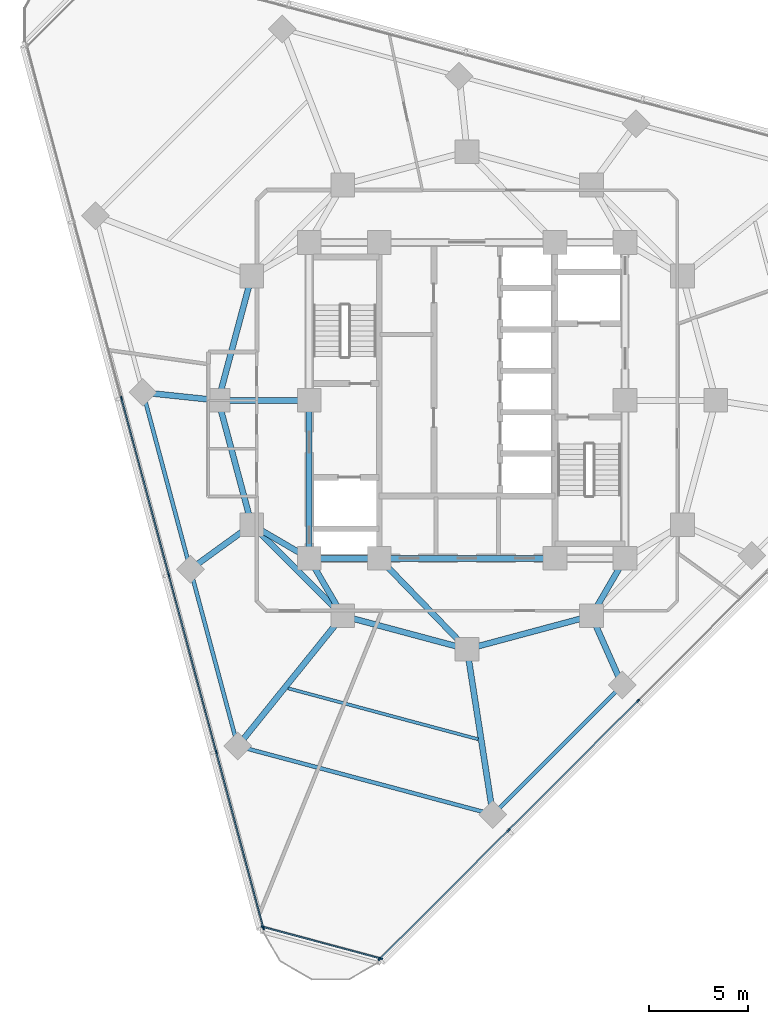
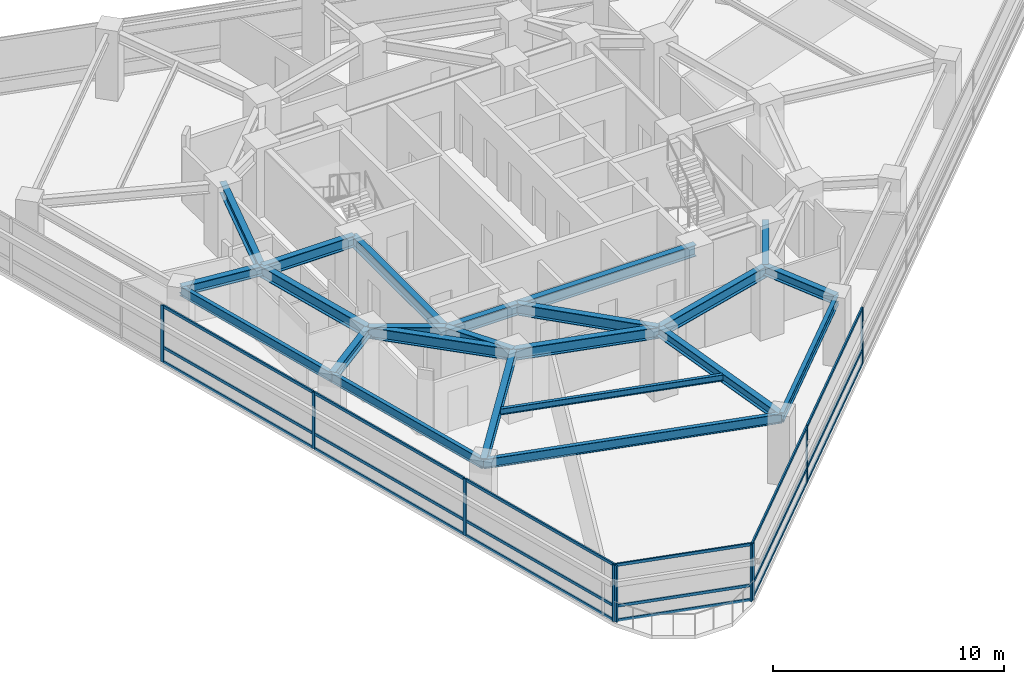
# One storey, part 2 of 13: 27 members, 23 beams, 3 elements without a shape of their own.
"""IFC4 building model written with IfcOpenShell, lengths in metres."""

from ifc_helpers import new_model, si_unit, direction, frame, origin, origin_2d, place, context, subcontext, project, spatial, rectangle, i_section, extrude, material, layer, layer_set, material_profile, profile_set, type_object, element, aggregate, save


model = new_model("IFC4")

# Units and contexts
model_context = context("Model", 3, precision=1e-05, world=origin(), true_north=direction((0.0, 1.0)))
body_context = subcontext(model_context, "Body", "Model", "MODEL_VIEW")
ifc_project = project(units=[si_unit("LENGTHUNIT", "METRE"), si_unit("AREAUNIT", "SQUARE_METRE"), si_unit("VOLUMEUNIT", "CUBIC_METRE"), si_unit("PLANEANGLEUNIT", "RADIAN"), si_unit("MASSUNIT", "GRAM", prefix="KILO")], contexts=[model_context])

# Site, building, storey
site_placement = place(None, origin())
site = spatial("IfcSite", under=ifc_project, at=site_placement, CompositionType="ELEMENT")
building_placement = place(site_placement, origin())
building = spatial("IfcBuilding", under=site, at=building_placement, Name="Terralouvre Media Tower", CompositionType="ELEMENT")
storey_placement = place(building_placement, frame((0.0, 0.0, 202.699951171875)))
storey = spatial("IfcBuildingStorey", under=building, at=storey_placement, Name="L52", CompositionType="ELEMENT", Elevation=202.699951171875)

# Beam
ifc_material_1 = material(Name="Structural steel S355J2", Category="steel")
ifc_material_profile_1 = material_profile(ifc_material_1, i_section(OverallWidth=0.159912109375, OverallDepth=0.330078125, WebThickness=0.007568359375, FlangeThickness=0.011474609375, at=origin_2d()), Name="IPE 330")
ifc_profile_set_1 = profile_set([ifc_material_profile_1], Name="Structural steel S355J2")
beam_type_1 = type_object("IfcBeamType", Name="Composite Floor Joist J-IPE330 (IPE 330)", PredefinedType="JOIST", material=ifc_profile_set_1)
beam_1_placement = place(storey_placement, frame((-9.067626953125, -14.58349609375, 3.3349609375), z_axis=(0.965923672222, -0.258827084055, 0.0), x_axis=(0.258827084055, 0.965923672222, 0.0)))
element("IfcBeam", 1, at=beam_1_placement, inside=storey, type_object=beam_type_1, Name="L52 Framing Beam JT-L52-01", PredefinedType="JOIST", context=body_context, shape_type="SweptSolid", body=[
    extrude(i_section(OverallWidth=0.159912109375, OverallDepth=0.330078125, WebThickness=0.007568359375, FlangeThickness=0.011474609375, at=origin_2d()), origin(), (0.0, 0.0, 1.0), 9.96826171875),
])

# Curtain wall, members
ifc_material_2 = material(Name="Low-iron laminated double glazing with solar-control coating", Category="glass")
ifc_layer_1 = layer(ifc_material_2, 0.1650390625, Name="Production Studio Tower Curtain Wall CW-03")
ifc_layer_set_1 = layer_set([ifc_layer_1], Name="Low-iron laminated double glazing with solar-control coating")
curtain_wall_type_1 = type_object("IfcCurtainWallType", Name="Production Studio Tower Curtain Wall CW-03", PredefinedType="NOTDEFINED", material=ifc_layer_set_1)
curtain_wall_1_placement = place(storey_placement, origin())
curtain_wall_1 = element("IfcCurtainWall", 2, at=curtain_wall_1_placement, inside=storey, type_object=curtain_wall_type_1, Name="L52 Facade Curtain Wall F0", PredefinedType="NOTDEFINED")
ifc_material_3 = material(Name="Anodised extruded aluminium 6063-T6", Category="aluminium")
ifc_material_profile_2 = material_profile(ifc_material_3, rectangle(XDim=0.074951171875, YDim=0.14990234375, at=origin_2d()), Name="ALU 75x150")
ifc_profile_set_2 = profile_set([ifc_material_profile_2], Name="Anodised extruded aluminium 6063-T6")
member_type_1 = type_object("IfcMemberType", Name="Curtain-Wall Horizontal Transom TR-150", PredefinedType="USERDEFINED", material=ifc_profile_set_2)
member_1_placement = place(storey_placement, frame((-4.399658203125, -28.27587890625, 0.03759765625), z_axis=(0.707106781187, 0.707106781187, 0.0), x_axis=(-0.707106781187, 0.707106781187, 0.0)))
member_1 = element("IfcMember", 3, at=member_1_placement, type_object=member_type_1, Name="CW-03 transom 1.1", ObjectType="TRANSOM", PredefinedType="USERDEFINED", context=body_context, shape_type="SweptSolid", body=[
    extrude(rectangle(XDim=0.074951171875, YDim=0.14990234375, at=origin_2d()), origin(), (0.0, 0.0, 1.0), 9.15966796875),
])
member_2_placement = place(storey_placement, frame((-4.399658203125, -28.27587890625, 0.800048828125), z_axis=(0.707106781187, 0.707106781187, 0.0), x_axis=(-0.707106781187, 0.707106781187, 0.0)))
member_2 = element("IfcMember", 4, at=member_2_placement, type_object=member_type_1, Name="CW-03 transom 1.2", ObjectType="TRANSOM", PredefinedType="USERDEFINED", context=body_context, shape_type="SweptSolid", body=[
    extrude(rectangle(XDim=0.074951171875, YDim=0.14990234375, at=origin_2d()), origin(), (0.0, 0.0, 1.0), 9.15966796875),
])
member_3_placement = place(storey_placement, frame((-4.399658203125, -28.27587890625, 2.962646484375), z_axis=(0.707106781187, 0.707106781187, 0.0), x_axis=(-0.707106781187, 0.707106781187, 0.0)))
member_3 = element("IfcMember", 5, at=member_3_placement, type_object=member_type_1, Name="CW-03 transom 1.3", ObjectType="TRANSOM", PredefinedType="USERDEFINED", context=body_context, shape_type="SweptSolid", body=[
    extrude(rectangle(XDim=0.074951171875, YDim=0.14990234375, at=origin_2d()), origin(), (0.0, 0.0, 1.0), 9.15966796875),
])
member_4_placement = place(storey_placement, frame((2.130126953125, -21.74609375, 0.03759765625), z_axis=(0.707093508293, 0.707120053831, 0.0), x_axis=(-0.707120053831, 0.707093508293, 0.0)))
member_4 = element("IfcMember", 6, at=member_4_placement, type_object=member_type_1, Name="CW-03 transom 2.1", ObjectType="TRANSOM", PredefinedType="USERDEFINED", context=body_context, shape_type="SweptSolid", body=[
    extrude(rectangle(XDim=0.074951171875, YDim=0.14990234375, at=origin_2d()), origin(), (0.0, 0.0, 1.0), 9.197021484375),
])
member_5_placement = place(storey_placement, frame((2.130126953125, -21.74609375, 0.800048828125), z_axis=(0.707093508293, 0.707120053831, 0.0), x_axis=(-0.707120053831, 0.707093508293, 0.0)))
member_5 = element("IfcMember", 7, at=member_5_placement, type_object=member_type_1, Name="CW-03 transom 2.2", ObjectType="TRANSOM", PredefinedType="USERDEFINED", context=body_context, shape_type="SweptSolid", body=[
    extrude(rectangle(XDim=0.074951171875, YDim=0.14990234375, at=origin_2d()), origin(), (0.0, 0.0, 1.0), 9.197021484375),
])
member_6_placement = place(storey_placement, frame((2.130126953125, -21.74609375, 2.962646484375), z_axis=(0.707093508293, 0.707120053831, 0.0), x_axis=(-0.707120053831, 0.707093508293, 0.0)))
member_6 = element("IfcMember", 8, at=member_6_placement, type_object=member_type_1, Name="CW-03 transom 2.3", ObjectType="TRANSOM", PredefinedType="USERDEFINED", context=body_context, shape_type="SweptSolid", body=[
    extrude(rectangle(XDim=0.074951171875, YDim=0.14990234375, at=origin_2d()), origin(), (0.0, 0.0, 1.0), 9.197021484375),
])

curtain_wall_2_placement = place(storey_placement, origin())
curtain_wall_2 = element("IfcCurtainWall", 9, at=curtain_wall_2_placement, inside=storey, type_object=curtain_wall_type_1, Name="L52 Facade Curtain Wall F2", PredefinedType="NOTDEFINED")
member_7_placement = place(storey_placement, frame((-17.497802734375, 0.072265625, 0.03759765625), z_axis=(0.25881569625, -0.965926723605, 0.0), x_axis=(0.965926723605, 0.25881569625, 0.0)))
member_7 = element("IfcMember", 10, at=member_7_placement, type_object=member_type_1, Name="CW-03 transom 3.1", ObjectType="TRANSOM", PredefinedType="USERDEFINED", context=body_context, shape_type="SweptSolid", body=[
    extrude(rectangle(XDim=0.074951171875, YDim=0.14990234375, at=origin_2d()), origin(), (0.0, 0.0, 1.0), 9.197265625),
])
member_8_placement = place(storey_placement, frame((-17.497802734375, 0.072265625, 0.800048828125), z_axis=(0.25881569625, -0.965926723605, 0.0), x_axis=(0.965926723605, 0.25881569625, 0.0)))
member_8 = element("IfcMember", 11, at=member_8_placement, type_object=member_type_1, Name="CW-03 transom 3.2", ObjectType="TRANSOM", PredefinedType="USERDEFINED", context=body_context, shape_type="SweptSolid", body=[
    extrude(rectangle(XDim=0.074951171875, YDim=0.14990234375, at=origin_2d()), origin(), (0.0, 0.0, 1.0), 9.197265625),
])
member_9_placement = place(storey_placement, frame((-17.497802734375, 0.072265625, 2.962646484375), z_axis=(0.25881569625, -0.965926723605, 0.0), x_axis=(0.965926723605, 0.25881569625, 0.0)))
member_9 = element("IfcMember", 12, at=member_9_placement, type_object=member_type_1, Name="CW-03 transom 3.3", ObjectType="TRANSOM", PredefinedType="USERDEFINED", context=body_context, shape_type="SweptSolid", body=[
    extrude(rectangle(XDim=0.074951171875, YDim=0.14990234375, at=origin_2d()), origin(), (0.0, 0.0, 1.0), 9.197265625),
])
member_10_placement = place(storey_placement, frame((-15.09814453125, -8.8837890625, 0.03759765625), z_axis=(0.25881569625, -0.965926723605, 0.0), x_axis=(0.965926723605, 0.25881569625, 0.0)))
member_10 = element("IfcMember", 13, at=member_10_placement, type_object=member_type_1, Name="CW-03 transom 4.1", ObjectType="TRANSOM", PredefinedType="USERDEFINED", context=body_context, shape_type="SweptSolid", body=[
    extrude(rectangle(XDim=0.074951171875, YDim=0.14990234375, at=origin_2d()), origin(), (0.0, 0.0, 1.0), 9.197265625),
])
member_11_placement = place(storey_placement, frame((-15.09814453125, -8.8837890625, 0.800048828125), z_axis=(0.25881569625, -0.965926723605, 0.0), x_axis=(0.965926723605, 0.25881569625, 0.0)))
member_11 = element("IfcMember", 14, at=member_11_placement, type_object=member_type_1, Name="CW-03 transom 4.2", ObjectType="TRANSOM", PredefinedType="USERDEFINED", context=body_context, shape_type="SweptSolid", body=[
    extrude(rectangle(XDim=0.074951171875, YDim=0.14990234375, at=origin_2d()), origin(), (0.0, 0.0, 1.0), 9.197265625),
])
member_12_placement = place(storey_placement, frame((-15.09814453125, -8.8837890625, 2.962646484375), z_axis=(0.25881569625, -0.965926723605, 0.0), x_axis=(0.965926723605, 0.25881569625, 0.0)))
member_12 = element("IfcMember", 15, at=member_12_placement, type_object=member_type_1, Name="CW-03 transom 4.3", ObjectType="TRANSOM", PredefinedType="USERDEFINED", context=body_context, shape_type="SweptSolid", body=[
    extrude(rectangle(XDim=0.074951171875, YDim=0.14990234375, at=origin_2d()), origin(), (0.0, 0.0, 1.0), 9.197265625),
])
member_13_placement = place(storey_placement, frame((-12.6982421875, -17.83984375, 0.03759765625), z_axis=(0.25881380313, -0.965927230856, 0.0), x_axis=(0.965927230856, 0.25881380313, 0.0)))
member_13 = element("IfcMember", 16, at=member_13_placement, type_object=member_type_1, Name="CW-03 transom 5.1", ObjectType="TRANSOM", PredefinedType="USERDEFINED", context=body_context, shape_type="SweptSolid", body=[
    extrude(rectangle(XDim=0.074951171875, YDim=0.14990234375, at=origin_2d()), origin(), (0.0, 0.0, 1.0), 9.159423828125),
])
member_14_placement = place(storey_placement, frame((-12.6982421875, -17.83984375, 0.800048828125), z_axis=(0.25881380313, -0.965927230856, 0.0), x_axis=(0.965927230856, 0.25881380313, 0.0)))
member_14 = element("IfcMember", 17, at=member_14_placement, type_object=member_type_1, Name="CW-03 transom 5.2", ObjectType="TRANSOM", PredefinedType="USERDEFINED", context=body_context, shape_type="SweptSolid", body=[
    extrude(rectangle(XDim=0.074951171875, YDim=0.14990234375, at=origin_2d()), origin(), (0.0, 0.0, 1.0), 9.159423828125),
])
member_15_placement = place(storey_placement, frame((-12.6982421875, -17.83984375, 2.962646484375), z_axis=(0.25881380313, -0.965927230856, 0.0), x_axis=(0.965927230856, 0.25881380313, 0.0)))
member_15 = element("IfcMember", 18, at=member_15_placement, type_object=member_type_1, Name="CW-03 transom 5.3", ObjectType="TRANSOM", PredefinedType="USERDEFINED", context=body_context, shape_type="SweptSolid", body=[
    extrude(rectangle(XDim=0.074951171875, YDim=0.14990234375, at=origin_2d()), origin(), (0.0, 0.0, 1.0), 9.159423828125),
])

ifc_material_4 = material(Name="Low-iron laminated double glazing with solar-control coating", Category="glass")
ifc_layer_2 = layer(ifc_material_4, 0.1650390625, Name="Rounded Wind-Corner Curved Glazing CW-04")
ifc_layer_set_2 = layer_set([ifc_layer_2], Name="Low-iron laminated double glazing with solar-control coating")
curtain_wall_type_2 = type_object("IfcCurtainWallType", Name="Rounded Wind-Corner Curved Glazing CW-04", PredefinedType="NOTDEFINED", material=ifc_layer_set_2)
curtain_wall_3_placement = place(storey_placement, origin())
curtain_wall_3 = element("IfcCurtainWall", 19, at=curtain_wall_3_placement, inside=storey, type_object=curtain_wall_type_2, Name="L52 Rounded Wind-Corner Curtain Wall C0", PredefinedType="NOTDEFINED")
member_16_placement = place(storey_placement, frame((-10.3154296875, -26.675048828125, 0.03759765625), z_axis=(0.965924368155, -0.25882448687, 0.0), x_axis=(0.25882448687, 0.965924368155, 0.0)))
member_16 = element("IfcMember", 20, at=member_16_placement, type_object=member_type_1, Name="CW-04 transom 1.1", ObjectType="TRANSOM", PredefinedType="USERDEFINED", context=body_context, shape_type="SweptSolid", body=[
    extrude(rectangle(XDim=0.074951171875, YDim=0.14990234375, at=origin_2d()), origin(), (0.0, 0.0, 1.0), 6.119873046875),
])
member_17_placement = place(storey_placement, frame((-10.3154296875, -26.675048828125, 0.800048828125), z_axis=(0.965924368155, -0.25882448687, 0.0), x_axis=(0.25882448687, 0.965924368155, 0.0)))
member_17 = element("IfcMember", 21, at=member_17_placement, type_object=member_type_1, Name="CW-04 transom 1.2", ObjectType="TRANSOM", PredefinedType="USERDEFINED", context=body_context, shape_type="SweptSolid", body=[
    extrude(rectangle(XDim=0.074951171875, YDim=0.14990234375, at=origin_2d()), origin(), (0.0, 0.0, 1.0), 6.119873046875),
])
member_18_placement = place(storey_placement, frame((-10.3154296875, -26.675048828125, 2.962646484375), z_axis=(0.965924368155, -0.25882448687, 0.0), x_axis=(0.25882448687, 0.965924368155, 0.0)))
member_18 = element("IfcMember", 22, at=member_18_placement, type_object=member_type_1, Name="CW-04 transom 1.3", ObjectType="TRANSOM", PredefinedType="USERDEFINED", context=body_context, shape_type="SweptSolid", body=[
    extrude(rectangle(XDim=0.074951171875, YDim=0.14990234375, at=origin_2d()), origin(), (0.0, 0.0, 1.0), 6.119873046875),
])

# Member
ifc_material_5 = material(Name="Anodised extruded aluminium 6063-T6", Category="aluminium")
ifc_material_profile_3 = material_profile(ifc_material_5, rectangle(XDim=0.074951171875, YDim=0.179931640625, at=origin_2d()), Name="ALU 75x180")
ifc_profile_set_3 = profile_set([ifc_material_profile_3], Name="Anodised extruded aluminium 6063-T6")
member_type_2 = type_object("IfcMemberType", Name="Curtain-Wall Vertical Mullion ML-180", PredefinedType="MULLION", material=ifc_profile_set_3)
member_19_placement = place(storey_placement, frame((-4.42626953125, -28.30224609375, 0.0), z_axis=(0.0, 0.0, 1.0), x_axis=(-0.707106781187, 0.707106781187, 0.0)))
member_19 = element("IfcMember", 23, at=member_19_placement, type_object=member_type_2, Name="CW-03 mullion 1", PredefinedType="MULLION", context=body_context, shape_type="SweptSolid", body=[
    extrude(rectangle(XDim=0.074951171875, YDim=0.179931640625, at=origin_2d()), origin(), (0.0, 0.0, 1.0), 3.0),
])

member_20_placement = place(storey_placement, frame((2.103515625, -21.7724609375, 0.0), z_axis=(0.0, 0.0, 1.0), x_axis=(-0.707106781187, 0.707106781187, 0.0)))
member_20 = element("IfcMember", 24, at=member_20_placement, type_object=member_type_2, Name="CW-03 mullion 2", PredefinedType="MULLION", context=body_context, shape_type="SweptSolid", body=[
    extrude(rectangle(XDim=0.074951171875, YDim=0.179931640625, at=origin_2d()), origin(), (0.0, 0.0, 1.0), 3.0),
])

member_21_placement = place(storey_placement, frame((8.659912109375, -15.21630859375, 0.0), z_axis=(0.0, 0.0, 1.0), x_axis=(-0.707106781187, 0.707106781187, 0.0)))
member_21 = element("IfcMember", 25, at=member_21_placement, type_object=member_type_2, Name="CW-03 mullion 3", PredefinedType="MULLION", context=body_context, shape_type="SweptSolid", body=[
    extrude(rectangle(XDim=0.074951171875, YDim=0.179931640625, at=origin_2d()), origin(), (0.0, 0.0, 1.0), 3.0),
])

aggregate(curtain_wall_1, [member_19, member_20, member_21, member_1, member_2, member_3, member_4, member_5, member_6])

member_22_placement = place(storey_placement, frame((-17.507568359375, 0.1083984375, 0.0), z_axis=(0.0, 0.0, 1.0), x_axis=(0.96592582942, 0.25881903342, 0.0)))
member_22 = element("IfcMember", 26, at=member_22_placement, type_object=member_type_2, Name="CW-03 mullion 3", PredefinedType="MULLION", context=body_context, shape_type="SweptSolid", body=[
    extrude(rectangle(XDim=0.074951171875, YDim=0.179931640625, at=origin_2d()), origin(), (0.0, 0.0, 1.0), 3.0),
])

member_23_placement = place(storey_placement, frame((-15.10791015625, -8.84765625, 0.0), z_axis=(0.0, 0.0, 1.0), x_axis=(0.96592582942, 0.25881903342, 0.0)))
member_23 = element("IfcMember", 27, at=member_23_placement, type_object=member_type_2, Name="CW-03 mullion 4", PredefinedType="MULLION", context=body_context, shape_type="SweptSolid", body=[
    extrude(rectangle(XDim=0.074951171875, YDim=0.179931640625, at=origin_2d()), origin(), (0.0, 0.0, 1.0), 3.0),
])

member_24_placement = place(storey_placement, frame((-12.7080078125, -17.8037109375, 0.0), z_axis=(0.0, 0.0, 1.0), x_axis=(0.96592582942, 0.25881903342, 0.0)))
member_24 = element("IfcMember", 28, at=member_24_placement, type_object=member_type_2, Name="CW-03 mullion 5", PredefinedType="MULLION", context=body_context, shape_type="SweptSolid", body=[
    extrude(rectangle(XDim=0.074951171875, YDim=0.179931640625, at=origin_2d()), origin(), (0.0, 0.0, 1.0), 3.0),
])

member_25_placement = place(storey_placement, frame((-10.31787109375, -26.7236328125, 0.0), z_axis=(0.0, 0.0, 1.0), x_axis=(0.96592582942, 0.25881903342, 0.0)))
member_25 = element("IfcMember", 29, at=member_25_placement, type_object=member_type_2, Name="CW-03 mullion 6", PredefinedType="MULLION", context=body_context, shape_type="SweptSolid", body=[
    extrude(rectangle(XDim=0.074951171875, YDim=0.179931640625, at=origin_2d()), origin(), (0.0, 0.0, 1.0), 3.0),
])

aggregate(curtain_wall_2, [member_22, member_23, member_24, member_25, member_7, member_8, member_9, member_10, member_11, member_12, member_13, member_14, member_15])

member_26_placement = place(storey_placement, frame((-10.351806640625, -26.665283203125, 0.0), z_axis=(0.0, 0.0, 1.0), x_axis=(0.258818728144, 0.965925911218, 0.0)))
member_26 = element("IfcMember", 30, at=member_26_placement, type_object=member_type_2, Name="CW-04 mullion 1", PredefinedType="MULLION", context=body_context, shape_type="SweptSolid", body=[
    extrude(rectangle(XDim=0.074951171875, YDim=0.179931640625, at=origin_2d()), origin(), (0.0, 0.0, 1.0), 3.0),
])

member_27_placement = place(storey_placement, frame((-4.367919921875, -28.268798828125, 0.0), z_axis=(0.0, 0.0, 1.0), x_axis=(0.258818728144, 0.965925911218, 0.0)))
member_27 = element("IfcMember", 31, at=member_27_placement, type_object=member_type_2, Name="CW-04 mullion 2", PredefinedType="MULLION", context=body_context, shape_type="SweptSolid", body=[
    extrude(rectangle(XDim=0.074951171875, YDim=0.179931640625, at=origin_2d()), origin(), (0.0, 0.0, 1.0), 3.0),
])

aggregate(curtain_wall_3, [member_26, member_27, member_16, member_17, member_18])

# Beams
ifc_material_6 = material(Name="Structural steel S355J2", Category="steel")
ifc_material_profile_4 = material_profile(ifc_material_6, i_section(OverallWidth=0.199951171875, OverallDepth=0.5, WebThickness=0.01025390625, FlangeThickness=0.01611328125, at=origin_2d()), Name="IPE 500")
ifc_profile_set_4 = profile_set([ifc_material_profile_4], Name="Structural steel S355J2")
beam_type_2 = type_object("IfcBeamType", Name="Perimeter Spandrel Beam SPB-500 (IPE 500)", PredefinedType="SPANDREL", material=ifc_profile_set_4)
beam_2_placement = place(storey_placement, frame((-14.016357421875, -8.55517578125, 3.239990234375), z_axis=(0.258832601786, -0.965922193685, 0.0), x_axis=(0.965922193685, 0.258832601786, 0.0)))
element("IfcBeam", 32, at=beam_2_placement, inside=storey, type_object=beam_type_2, Name="L52 Framing Beam BM-L52-PR01", PredefinedType="SPANDREL", context=body_context, shape_type="SweptSolid", body=[
    extrude(i_section(OverallWidth=0.199951171875, OverallDepth=0.5, WebThickness=0.01025390625, FlangeThickness=0.01611328125, at=origin_2d()), origin(), (0.0, 0.0, 1.0), 9.27197265625),
])
beam_3_placement = place(storey_placement, frame((-11.616455078125, -17.51123046875, 3.25), z_axis=(0.965926789058, -0.258815451972, 0.0), x_axis=(0.258815451972, 0.965926789058, 0.0)))
element("IfcBeam", 33, at=beam_3_placement, inside=storey, type_object=beam_type_2, Name="L52 Framing Beam BM-L52-PR02", PredefinedType="SPANDREL", context=body_context, shape_type="SweptSolid", body=[
    extrude(i_section(OverallWidth=0.199951171875, OverallDepth=0.5, WebThickness=0.01025390625, FlangeThickness=0.01611328125, at=origin_2d()), origin(), (0.0, 0.0, 1.0), 13.376953125),
])
beam_4_placement = place(storey_placement, frame((1.3046875, -20.973388671875, 3.25), z_axis=(0.707106781187, 0.707106781187, 0.0), x_axis=(-0.707106781187, 0.707106781187, 0.0)))
element("IfcBeam", 34, at=beam_4_placement, inside=storey, type_object=beam_type_2, Name="L52 Framing Beam BM-L52-PR03", PredefinedType="SPANDREL", context=body_context, shape_type="SweptSolid", body=[
    extrude(i_section(OverallWidth=0.199951171875, OverallDepth=0.5, WebThickness=0.01025390625, FlangeThickness=0.01611328125, at=origin_2d()), origin(), (0.0, 0.0, 1.0), 9.271728515625),
])
beam_5_placement = place(storey_placement, frame((-16.416015625, 0.40087890625, 3.239990234375), z_axis=(0.258808034669, -0.965928776458, 0.0), x_axis=(0.965928776458, 0.258808034669, 0.0)))
element("IfcBeam", 35, at=beam_5_placement, inside=storey, type_object=beam_type_2, Name="L52 Framing Beam BM-L52-PR12", PredefinedType="SPANDREL", context=body_context, shape_type="SweptSolid", body=[
    extrude(i_section(OverallWidth=0.199951171875, OverallDepth=0.5, WebThickness=0.01025390625, FlangeThickness=0.01611328125, at=origin_2d()), origin(), (0.0, 0.0, 1.0), 9.27197265625),
])
ifc_material_7 = material(Name="Structural steel S355J2", Category="steel")
ifc_material_profile_5 = material_profile(ifc_material_7, i_section(OverallWidth=0.300048828125, OverallDepth=0.5, WebThickness=0.014404296875, FlangeThickness=0.028076171875, at=origin_2d()), Name="HEB 500")
ifc_profile_set_5 = profile_set([ifc_material_profile_5], Name="Structural steel S355J2")
beam_type_3 = type_object("IfcBeamType", Name="Primary Floor Girder B-HEB500 (HEB 500)", PredefinedType="BEAM", material=ifc_profile_set_5)
beam_6_placement = place(storey_placement, frame((-10.911865234375, -6.300048828125, 3.239990234375), z_axis=(-0.809068873767, -0.587713839807, 0.0), x_axis=(0.587713839807, -0.809068873767, 0.0)))
element("IfcBeam", 36, at=beam_6_placement, inside=storey, type_object=beam_type_3, Name="L52 Framing Beam BM-L52-RD01", PredefinedType="BEAM", context=body_context, shape_type="SweptSolid", body=[
    extrude(i_section(OverallWidth=0.300048828125, OverallDepth=0.5, WebThickness=0.014404296875, FlangeThickness=0.028076171875, at=origin_2d()), origin(), (0.0, 0.0, 1.0), 3.837158203125),
])
for number, where, z_axis, x_axis, name in (
    (37, (-6.300048828125, -10.911865234375, 3.25), (-0.62734749454, -0.778739443649, 0.0), (0.778739443649, -0.62734749454, 0.0), "L52 Framing Beam BM-L52-RD02"),
    (38, (0.0, -12.60009765625, 3.25), (0.153957660154, -0.988077445791, 0.0), (0.988077445791, 0.153957660154, 0.0), "L52 Framing Beam BM-L52-RD03"),
):
    element("IfcBeam", number, at=place(storey_placement, frame(where, z_axis=z_axis, x_axis=x_axis)), inside=storey, type_object=beam_type_3, Name=name, PredefinedType="BEAM", context=body_context, shape_type="SweptSolid", body=[
        extrude(i_section(OverallWidth=0.300048828125, OverallDepth=0.5, WebThickness=0.014404296875, FlangeThickness=0.028076171875, at=origin_2d()), origin(), (0.0, 0.0, 1.0), 8.474365234375),
    ])
beam_7_placement = place(storey_placement, frame((6.300048828125, -10.911865234375, 3.25), z_axis=(0.406758229915, -0.913535846257, 0.0), x_axis=(0.913535846257, 0.406758229915, 0.0)))
element("IfcBeam", 39, at=beam_7_placement, inside=storey, type_object=beam_type_3, Name="L52 Framing Beam BM-L52-RD04", PredefinedType="BEAM", context=body_context, shape_type="SweptSolid", body=[
    extrude(i_section(OverallWidth=0.300048828125, OverallDepth=0.5, WebThickness=0.014404296875, FlangeThickness=0.028076171875, at=origin_2d()), origin(), (0.0, 0.0, 1.0), 3.837158203125),
])
beam_8_placement = place(storey_placement, frame((-12.60009765625, 0.0, 3.239990234375), z_axis=(-0.994527048272, 0.104479425033, 0.0), x_axis=(-0.104479425033, -0.994527048272, 0.0)))
element("IfcBeam", 40, at=beam_8_placement, inside=storey, type_object=beam_type_3, Name="L52 Framing Beam BM-L52-RD12", PredefinedType="BEAM", context=body_context, shape_type="SweptSolid", body=[
    extrude(i_section(OverallWidth=0.300048828125, OverallDepth=0.5, WebThickness=0.014404296875, FlangeThickness=0.028076171875, at=origin_2d()), origin(), (0.0, 0.0, 1.0), 3.8369140625),
])
ifc_material_8 = material(Name="Structural steel S460M", Category="steel")
ifc_material_profile_6 = material_profile(ifc_material_8, i_section(OverallWidth=0.300048828125, OverallDepth=0.60009765625, WebThickness=0.015380859375, FlangeThickness=0.030029296875, at=origin_2d()), Name="HEB 600")
ifc_profile_set_6 = profile_set([ifc_material_profile_6], Name="Structural steel S460M")
beam_type_4 = type_object("IfcBeamType", Name="Primary Floor Girder B-HEB600 (HEB 600)", PredefinedType="BEAM", material=ifc_profile_set_6)
beam_9_placement = place(storey_placement, frame((-8.0, -8.0, 3.199951171875), z_axis=(1.0, 0.0, 0.0), x_axis=(0.0, 1.0, 0.0)))
element("IfcBeam", 41, at=beam_9_placement, inside=storey, type_object=beam_type_4, Name="L52 Framing Beam BM-L52-CPR01", PredefinedType="BEAM", context=body_context, shape_type="SweptSolid", body=[
    extrude(i_section(OverallWidth=0.300048828125, OverallDepth=0.60009765625, WebThickness=0.015380859375, FlangeThickness=0.030029296875, at=origin_2d()), origin(), (0.0, 0.0, 1.0), 3.550048828125),
])
beam_10_placement = place(storey_placement, frame((-4.449951171875, -8.0, 3.199951171875), z_axis=(1.0, 0.0, 0.0), x_axis=(0.0, 1.0, 0.0)))
element("IfcBeam", 42, at=beam_10_placement, inside=storey, type_object=beam_type_4, Name="L52 Framing Beam BM-L52-CPR02", PredefinedType="BEAM", context=body_context, shape_type="SweptSolid", body=[
    extrude(i_section(OverallWidth=0.300048828125, OverallDepth=0.60009765625, WebThickness=0.015380859375, FlangeThickness=0.030029296875, at=origin_2d()), origin(), (0.0, 0.0, 1.0), 8.89990234375),
])
beam_11_placement = place(storey_placement, frame((-8.0, 0.0, 3.199951171875), z_axis=(0.0, -1.0, 0.0), x_axis=(1.0, 0.0, 0.0)))
element("IfcBeam", 43, at=beam_11_placement, inside=storey, type_object=beam_type_4, Name="L52 Framing Beam BM-L52-CPR10", PredefinedType="BEAM", context=body_context, shape_type="SweptSolid", body=[
    extrude(i_section(OverallWidth=0.300048828125, OverallDepth=0.60009765625, WebThickness=0.015380859375, FlangeThickness=0.030029296875, at=origin_2d()), origin(), (0.0, 0.0, 1.0), 8.0),
])
beam_12_placement = place(storey_placement, frame((-10.911865234375, -6.300048828125, 3.199951171875), z_axis=(0.707106781187, -0.707106781187, 0.0), x_axis=(0.707106781187, 0.707106781187, 0.0)))
element("IfcBeam", 44, at=beam_12_placement, inside=storey, type_object=beam_type_4, Name="L52 Framing Beam BM-L52-MR01", PredefinedType="BEAM", context=body_context, shape_type="SweptSolid", body=[
    extrude(i_section(OverallWidth=0.300048828125, OverallDepth=0.60009765625, WebThickness=0.015380859375, FlangeThickness=0.030029296875, at=origin_2d()), origin(), (0.0, 0.0, 1.0), 6.52197265625),
])
for number, where, z_axis, x_axis, name in (
    (45, (-6.300048828125, -10.911865234375, 3.199951171875), (0.965920481897, -0.258838989821, 0.0), (0.258838989821, 0.965920481897, 0.0), "L52 Framing Beam BM-L52-MR02"),
    (46, (0.0, -12.60009765625, 3.199951171875), (0.965920481897, 0.258838989821, 0.0), (-0.258838989821, 0.965920481897, 0.0), "L52 Framing Beam BM-L52-MR03"),
    (47, (-10.911865234375, 6.300048828125, 3.199951171875), (-0.258838989821, -0.965920481897, 0.0), (0.965920481897, -0.258838989821, 0.0), "L52 Framing Beam BM-L52-MR11"),
    (48, (-12.60009765625, 0.0, 3.199951171875), (0.258838989821, -0.965920481897, 0.0), (0.965920481897, 0.258838989821, 0.0), "L52 Framing Beam BM-L52-MR12"),
):
    element("IfcBeam", number, at=place(storey_placement, frame(where, z_axis=z_axis, x_axis=x_axis)), inside=storey, type_object=beam_type_4, Name=name, PredefinedType="BEAM", context=body_context, shape_type="SweptSolid", body=[
        extrude(i_section(OverallWidth=0.300048828125, OverallDepth=0.60009765625, WebThickness=0.015380859375, FlangeThickness=0.030029296875, at=origin_2d()), origin(), (0.0, 0.0, 1.0), 6.522216796875),
    ])
for number, where, z_axis, x_axis, name in (
    (49, (-8.0, -8.0, 3.199951171875), (-0.863602894532, 0.504172629717, 0.0), (-0.504172629717, -0.863602894532, 0.0), "L52 Framing Beam BM-L52-CM01"),
    (50, (-8.0, -8.0, 3.199951171875), (0.504172629717, -0.863602894532, 0.0), (0.863602894532, 0.504172629717, 0.0), "L52 Framing Beam BM-L52-CM02"),
):
    element("IfcBeam", number, at=place(storey_placement, frame(where, z_axis=z_axis, x_axis=x_axis)), inside=storey, type_object=beam_type_4, Name=name, PredefinedType="BEAM", context=body_context, shape_type="SweptSolid", body=[
        extrude(i_section(OverallWidth=0.300048828125, OverallDepth=0.60009765625, WebThickness=0.015380859375, FlangeThickness=0.030029296875, at=origin_2d()), origin(), (0.0, 0.0, 1.0), 3.371826171875),
    ])
beam_13_placement = place(storey_placement, frame((-4.449951171875, -8.0, 3.199951171875), z_axis=(0.695279715726, -0.718739255155, 0.0), x_axis=(0.718739255155, 0.695279715726, 0.0)))
element("IfcBeam", 51, at=beam_13_placement, inside=storey, type_object=beam_type_4, Name="L52 Framing Beam BM-L52-CM03", PredefinedType="BEAM", context=body_context, shape_type="SweptSolid", body=[
    extrude(i_section(OverallWidth=0.300048828125, OverallDepth=0.60009765625, WebThickness=0.015380859375, FlangeThickness=0.030029296875, at=origin_2d()), origin(), (0.0, 0.0, 1.0), 6.400146484375),
])
beam_14_placement = place(storey_placement, frame((8.0, -8.0, 3.199951171875), z_axis=(-0.504172629717, -0.863602894532, 0.0), x_axis=(0.863602894532, -0.504172629717, 0.0)))
element("IfcBeam", 52, at=beam_14_placement, inside=storey, type_object=beam_type_4, Name="L52 Framing Beam BM-L52-CM04", PredefinedType="BEAM", context=body_context, shape_type="SweptSolid", body=[
    extrude(i_section(OverallWidth=0.300048828125, OverallDepth=0.60009765625, WebThickness=0.015380859375, FlangeThickness=0.030029296875, at=origin_2d()), origin(), (0.0, 0.0, 1.0), 3.371826171875),
])
beam_15_placement = place(storey_placement, frame((-8.0, 0.0, 3.199951171875), z_axis=(-1.0, 0.0, 0.0), x_axis=(0.0, -1.0, 0.0)))
element("IfcBeam", 53, at=beam_15_placement, inside=storey, type_object=beam_type_4, Name="L52 Framing Beam BM-L52-CM12", PredefinedType="BEAM", context=body_context, shape_type="SweptSolid", body=[
    extrude(i_section(OverallWidth=0.300048828125, OverallDepth=0.60009765625, WebThickness=0.015380859375, FlangeThickness=0.030029296875, at=origin_2d()), origin(), (0.0, 0.0, 1.0), 4.60009765625),
])

save(model, "model.ifc")
